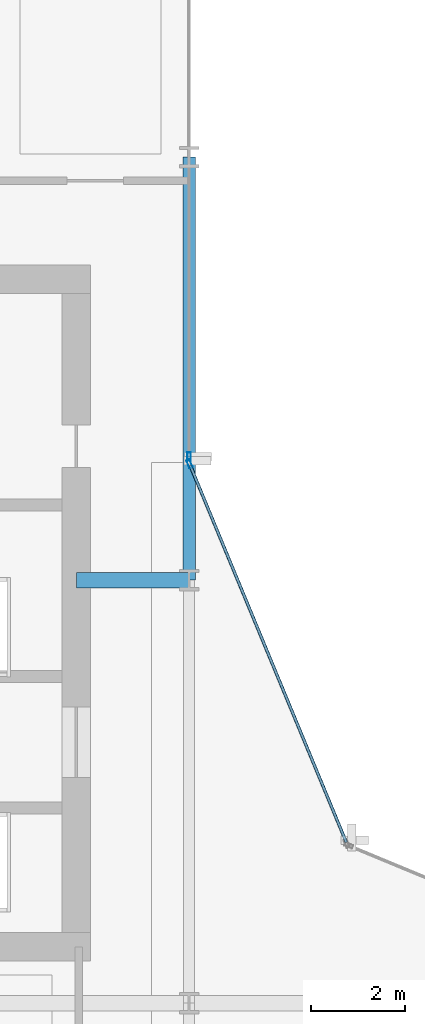
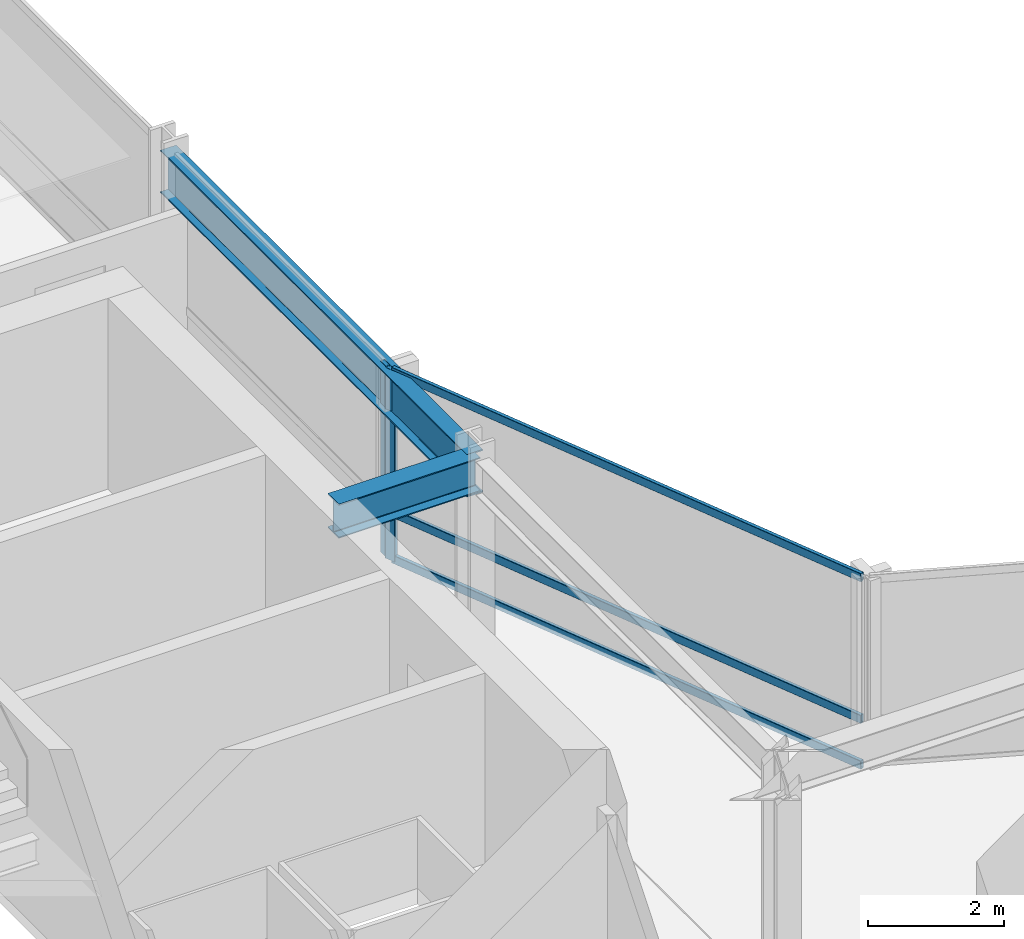
# One storey, part 17 of 29: 5 members, 2 beams, 2 elements without a shape of their own.
"""IFC4 building model written with IfcOpenShell, lengths in metres."""

from ifc_helpers import new_model, si_unit, direction, frame, origin, origin_2d, place, context, subcontext, project, spatial, hollow_rectangle, i_section, extrude, material, layer, layer_set, material_profile, profile_set, type_object, element, aggregate, save


model = new_model("IFC4")

# Units and contexts
model_context = context("Model", 3, precision=1e-05, world=origin(), true_north=direction((0.0, 1.0)))
body_context = subcontext(model_context, "Body", "Model", "MODEL_VIEW")
ifc_project = project(units=[si_unit("LENGTHUNIT", "METRE"), si_unit("AREAUNIT", "SQUARE_METRE"), si_unit("VOLUMEUNIT", "CUBIC_METRE"), si_unit("PLANEANGLEUNIT", "RADIAN"), si_unit("MASSUNIT", "GRAM", prefix="KILO")], contexts=[model_context])

# Site, building, storey
site_placement = place(None, origin())
site = spatial("IfcSite", under=ifc_project, at=site_placement, CompositionType="ELEMENT")
building_placement = place(site_placement, origin())
building = spatial("IfcBuilding", under=site, at=building_placement, Name="Solvaryn Broadcast Tower", CompositionType="ELEMENT")
storey_placement = place(building_placement, frame((0.0, 0.0, 117.39990234375)))
storey = spatial("IfcBuildingStorey", under=building, at=storey_placement, Name="L28", CompositionType="ELEMENT", Elevation=117.39990234375)

# Beams
ifc_material_1 = material(Name="Steel ASTM A992 Grade 50", Category="steel")
ifc_material_profile_1 = material_profile(ifc_material_1, i_section(OverallWidth=0.323974609375, OverallDepth=0.611083984375, WebThickness=0.0126953125, FlangeThickness=0.01904296875, FilletRadius=0.014892578125, at=origin_2d()))
ifc_profile_set_1 = profile_set([ifc_material_profile_1], Name="Steel ASTM A992 Grade 50")
beam_type_1 = type_object("IfcBeamType", Name="BM-B1-W24X104", PredefinedType="BEAM", material=ifc_profile_set_1)
beam_1_placement = place(storey_placement, frame((24.60009765625, 36.0, 3.114501953125), z_axis=(1.0, 0.0, 0.0), x_axis=(0.0, 1.0, 0.0)))
element("IfcBeam", 1, at=beam_1_placement, inside=storey, type_object=beam_type_1, Name="L28 Core Tie Beam CTW2", PredefinedType="BEAM", context=body_context, shape_type="SweptSolid", body=[
    extrude(i_section(OverallWidth=0.323974609375, OverallDepth=0.611083984375, WebThickness=0.0126953125, FlangeThickness=0.01904296875, FilletRadius=0.014892578125, at=origin_2d()), origin(), (0.0, 0.0, 1.0), 2.39990234375),
])
ifc_material_2 = material(Name="Steel ASTM A992 Grade 50", Category="steel")
ifc_material_profile_2 = material_profile(ifc_material_2, i_section(OverallWidth=0.26708984375, OverallDepth=0.76611328125, WebThickness=0.014892578125, FlangeThickness=0.023681640625, FilletRadius=0.01806640625, at=origin_2d()))
ifc_profile_set_2 = profile_set([ifc_material_profile_2], Name="Steel ASTM A992 Grade 50")
beam_type_2 = type_object("IfcBeamType", Name="BM-SP2-W30X124", PredefinedType="USERDEFINED", material=ifc_profile_set_2)
beam_2_placement = place(storey_placement, frame((27.0, 36.0, 3.037109375), z_axis=(0.0, 1.0, 0.0), x_axis=(-1.0, 0.0, 0.0)))
element("IfcBeam", 2, at=beam_2_placement, inside=storey, type_object=beam_type_2, Name="L28 Spandrel Beam Y (36-45 @ X=27)", ObjectType="SPANDREL", PredefinedType="USERDEFINED", context=body_context, shape_type="SweptSolid", body=[
    extrude(i_section(OverallWidth=0.26708984375, OverallDepth=0.76611328125, WebThickness=0.014892578125, FlangeThickness=0.023681640625, FilletRadius=0.01806640625, at=origin_2d()), origin(), (0.0, 0.0, 1.0), 9.0),
])

# Curtain wall, member
ifc_material_3 = material(Name="Aluminium and Terracotta Unitised Curtain Wall", Category="masonry")
ifc_layer = layer(ifc_material_3, 0.199951171875)
ifc_layer_set = layer_set([ifc_layer], Name="CW-SYS2-LOWMID")
curtain_wall_type = type_object("IfcCurtainWallType", Name="CW-SYS2-LOWMID", PredefinedType="NOTDEFINED", material=ifc_layer_set)
curtain_wall_1_placement = place(storey_placement, origin())
curtain_wall_1 = element("IfcCurtainWall", 3, at=curtain_wall_1_placement, inside=storey, type_object=curtain_wall_type, Name="L28 Curtain Wall IV", PredefinedType="NOTDEFINED")
ifc_material_4 = material(Name="Anodised Aluminium 6063-T6", Category="aluminium")
ifc_material_profile_3 = material_profile(ifc_material_4, hollow_rectangle(XDim=0.074951171875, YDim=0.179931640625, WallThickness=0.00390625, InnerFilletRadius=0.00390625, OuterFilletRadius=0.008056640625, at=origin_2d()))
ifc_profile_set_3 = profile_set([ifc_material_profile_3], Name="Anodised Aluminium 6063-T6")
member_type_1 = type_object("IfcMemberType", Name="CW-MUL-180", PredefinedType="MULLION", material=ifc_profile_set_3)
member_1_placement = place(storey_placement, frame((27.0, 38.6298828125, 0.0), z_axis=(0.0, 0.0, 1.0), x_axis=(1.0, 0.0, 0.0)))
member_1 = element("IfcMember", 4, at=member_1_placement, type_object=member_type_1, Name="CWS2 mullion 2", PredefinedType="MULLION", context=body_context, shape_type="SweptSolid", body=[
    extrude(hollow_rectangle(XDim=0.074951171875, YDim=0.179931640625, WallThickness=0.00390625, InnerFilletRadius=0.00390625, OuterFilletRadius=0.008056640625, at=origin_2d()), origin(), (0.0, 0.0, 1.0), 3.420166015625),
])
aggregate(curtain_wall_1, [member_1])

# Curtain wall, members
curtain_wall_2_placement = place(storey_placement, origin())
curtain_wall_2 = element("IfcCurtainWall", 5, at=curtain_wall_2_placement, inside=storey, type_object=curtain_wall_type, Name="L28 Curtain Wall CN2", PredefinedType="NOTDEFINED")
member_2_placement = place(storey_placement, frame((27.011474609375, 38.47216796875, 0.0), z_axis=(0.0, 0.0, 1.0), x_axis=(-0.923894983957, -0.382646127145, 0.0)))
member_2 = element("IfcMember", 6, at=member_2_placement, type_object=member_type_1, Name="CWS2 mullion 2", PredefinedType="MULLION", context=body_context, shape_type="SweptSolid", body=[
    extrude(hollow_rectangle(XDim=0.074951171875, YDim=0.179931640625, WallThickness=0.00390625, InnerFilletRadius=0.00390625, OuterFilletRadius=0.008056640625, at=origin_2d()), origin(), (0.0, 0.0, 1.0), 3.420166015625),
])
ifc_material_5 = material(Name="Anodised Aluminium 6063-T6", Category="aluminium")
ifc_material_profile_4 = material_profile(ifc_material_5, hollow_rectangle(XDim=0.06494140625, YDim=0.14990234375, WallThickness=0.00390625, InnerFilletRadius=0.00390625, OuterFilletRadius=0.008056640625, at=origin_2d()))
ifc_profile_set_4 = profile_set([ifc_material_profile_4], Name="Anodised Aluminium 6063-T6")
member_type_2 = type_object("IfcMemberType", Name="CW-TRN-150", PredefinedType="USERDEFINED", material=ifc_profile_set_4)
member_3_placement = place(storey_placement, frame((30.344970703125, 30.42333984375, 0.030029296875), z_axis=(-0.382635748975, 0.923899282177, 0.0), x_axis=(-0.923899282177, -0.382635748975, 0.0)))
member_3 = element("IfcMember", 7, at=member_3_placement, type_object=member_type_2, Name="CWS2 transom 1.1", ObjectType="TRANSOM", PredefinedType="USERDEFINED", context=body_context, shape_type="SweptSolid", body=[
    extrude(hollow_rectangle(XDim=0.06494140625, YDim=0.14990234375, WallThickness=0.00390625, InnerFilletRadius=0.00390625, OuterFilletRadius=0.008056640625, at=origin_2d()), origin(), (0.0, 0.0, 1.0), 8.681884765625),
])
member_4_placement = place(storey_placement, frame((30.344970703125, 30.42333984375, 0.85009765625), z_axis=(-0.382635748975, 0.923899282177, 0.0), x_axis=(-0.923899282177, -0.382635748975, 0.0)))
member_4 = element("IfcMember", 8, at=member_4_placement, type_object=member_type_2, Name="CWS2 transom 1.2", ObjectType="TRANSOM", PredefinedType="USERDEFINED", context=body_context, shape_type="SweptSolid", body=[
    extrude(hollow_rectangle(XDim=0.06494140625, YDim=0.14990234375, WallThickness=0.00390625, InnerFilletRadius=0.00390625, OuterFilletRadius=0.008056640625, at=origin_2d()), origin(), (0.0, 0.0, 1.0), 8.681884765625),
])
member_5_placement = place(storey_placement, frame((30.344970703125, 30.42333984375, 3.39013671875), z_axis=(-0.382635748975, 0.923899282177, 0.0), x_axis=(-0.923899282177, -0.382635748975, 0.0)))
member_5 = element("IfcMember", 9, at=member_5_placement, type_object=member_type_2, Name="CWS2 transom 1.3", ObjectType="TRANSOM", PredefinedType="USERDEFINED", context=body_context, shape_type="SweptSolid", body=[
    extrude(hollow_rectangle(XDim=0.06494140625, YDim=0.14990234375, WallThickness=0.00390625, InnerFilletRadius=0.00390625, OuterFilletRadius=0.008056640625, at=origin_2d()), origin(), (0.0, 0.0, 1.0), 8.681884765625),
])
aggregate(curtain_wall_2, [member_2, member_3, member_4, member_5])

save(model, "model.ifc")
